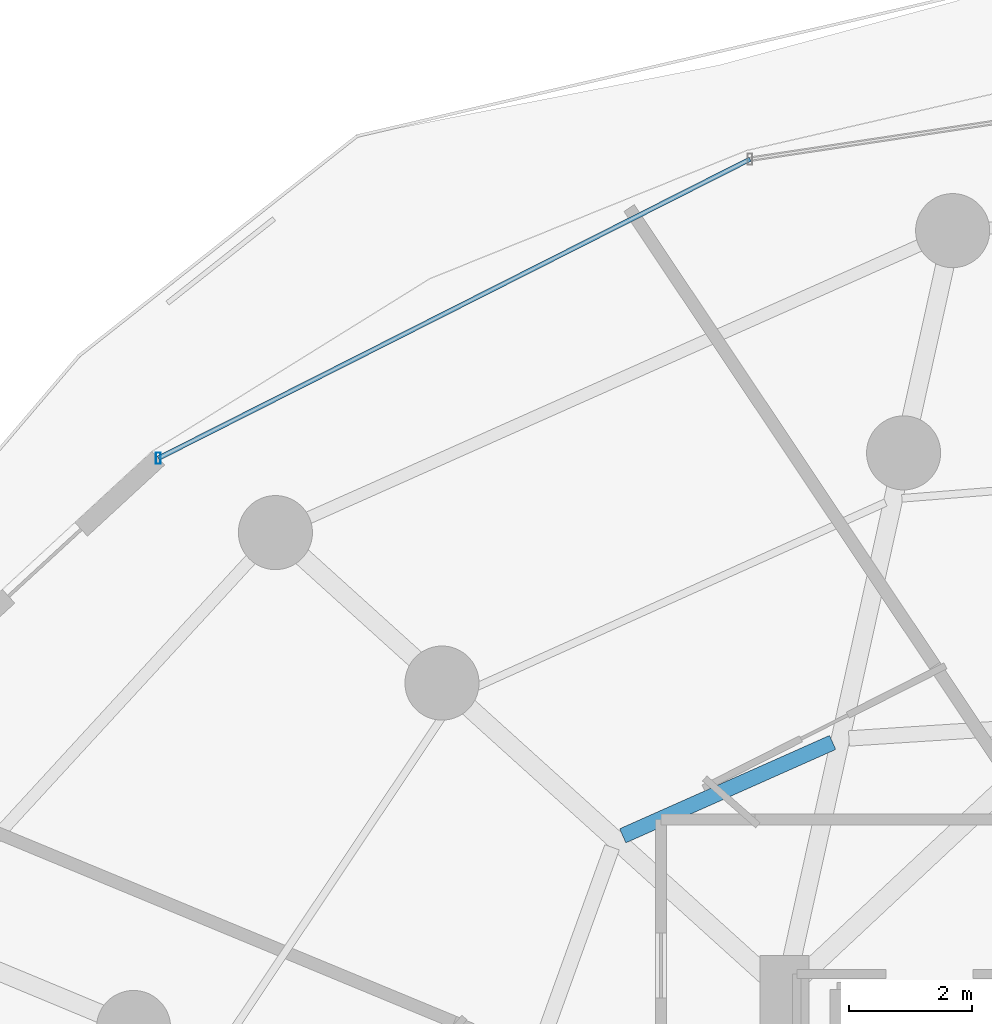
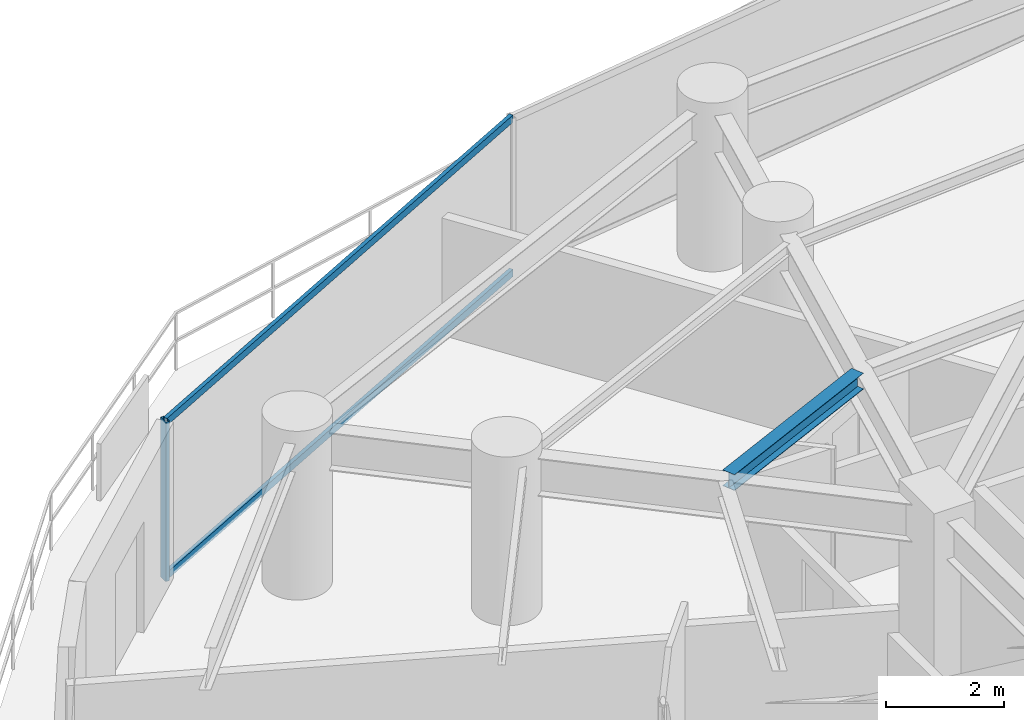
# One storey, part 20 of 35: 3 members, 1 beam, 1 element without a shape of its own.
"""IFC4 building model written with IfcOpenShell, lengths in metres."""

from ifc_helpers import new_model, si_unit, direction, frame, origin, origin_2d, place, context, subcontext, project, spatial, hollow_rectangle, i_section, extrude, material, material_profile, profile_set, type_object, element, aggregate, save


model = new_model("IFC4")

# Units and contexts
model_context = context("Model", 3, precision=1e-05, world=origin(), true_north=direction((0.0, 1.0)))
body_context = subcontext(model_context, "Body", "Model", "MODEL_VIEW")
ifc_project = project(units=[si_unit("LENGTHUNIT", "METRE"), si_unit("AREAUNIT", "SQUARE_METRE"), si_unit("VOLUMEUNIT", "CUBIC_METRE"), si_unit("PLANEANGLEUNIT", "RADIAN"), si_unit("MASSUNIT", "GRAM", prefix="KILO")], contexts=[model_context])

# Site, building, storey
site_placement = place(None, origin())
site = spatial("IfcSite", under=ifc_project, at=site_placement, CompositionType="ELEMENT")
building_placement = place(site_placement, origin())
building = spatial("IfcBuilding", under=site, at=building_placement, Name="Vorneva Point Tower", CompositionType="ELEMENT")
storey_placement = place(building_placement, frame((0.0, 0.0, 48.5)))
storey = spatial("IfcBuildingStorey", under=building, at=storey_placement, Name="L12", CompositionType="ELEMENT", Elevation=48.5)

# Beam
ifc_material_1 = material(Name="Steel S355", Category="steel")
ifc_material_profile_1 = material_profile(ifc_material_1, i_section(OverallWidth=0.2490234375, OverallDepth=0.333984375, WebThickness=0.008056640625, FlangeThickness=0.010986328125, at=origin_2d()), Name="35Sh1")
ifc_profile_set_1 = profile_set([ifc_material_profile_1], Name="Steel S355")
beam_type = type_object("IfcBeamType", Name="BM-SEC-35Sh1", PredefinedType="BEAM", material=ifc_profile_set_1)
beam_placement = place(storey_placement, frame((28.030029296875, 37.19970703125, 3.072998046875), z_axis=(-0.913706020961, -0.406375820221, 0.0), x_axis=(0.406375820221, -0.913706020961, 0.0)))
element("IfcBeam", 1, at=beam_placement, inside=storey, type_object=beam_type, Name="L12 Secondary Floor Beam 2.06", PredefinedType="BEAM", context=body_context, shape_type="SweptSolid", body=[
    extrude(i_section(OverallWidth=0.2490234375, OverallDepth=0.333984375, WebThickness=0.008056640625, FlangeThickness=0.010986328125, at=origin_2d()), origin(), (0.0, 0.0, 1.0), 3.721923828125),
])

# Curtain wall, members
ifc_material_2 = material(Name="Pale anodised aluminium", Category="aluminium")
curtain_wall_type = type_object("IfcCurtainWallType", Name="CW-HTL-SYS", PredefinedType="NOTDEFINED", material=ifc_material_2)
curtain_wall_placement = place(storey_placement, origin())
curtain_wall = element("IfcCurtainWall", 2, at=curtain_wall_placement, inside=storey, type_object=curtain_wall_type, Name="L12 Unitised Curtain Wall CW-L12-R02", PredefinedType="NOTDEFINED")
ifc_material_profile_2 = material_profile(ifc_material_2, hollow_rectangle(XDim=0.074951171875, YDim=0.179931640625, WallThickness=0.00390625, at=origin_2d()), Name="AL-MUL 180x75x4")
ifc_profile_set_2 = profile_set([ifc_material_profile_2], Name="Pale anodised aluminium")
member_type_1 = type_object("IfcMemberType", Name="CW-MUL-180", PredefinedType="MULLION", material=ifc_profile_set_2)
member_1_placement = place(storey_placement, frame((17.10498046875, 41.8037109375, -0.0400390625), z_axis=(0.0, 0.0, 1.0), x_axis=(1.0, 0.0, 0.0)))
member_1 = element("IfcMember", 3, at=member_1_placement, type_object=member_type_1, Name="CW-L12-R02 Mullion 05", PredefinedType="MULLION", context=body_context, shape_type="SweptSolid", body=[
    extrude(hollow_rectangle(XDim=0.074951171875, YDim=0.179931640625, WallThickness=0.00390625, at=origin_2d()), origin(), (0.0, 0.0, 1.0), 3.31005859375),
])
ifc_material_profile_3 = material_profile(ifc_material_2, hollow_rectangle(XDim=0.074951171875, YDim=0.14990234375, WallThickness=0.00390625, at=origin_2d()), Name="AL-TRN 150x75x4")
ifc_profile_set_3 = profile_set([ifc_material_profile_3], Name="Pale anodised aluminium")
member_type_2 = type_object("IfcMemberType", Name="CW-TRN-150", PredefinedType="USERDEFINED", material=ifc_profile_set_3)
member_2_placement = place(storey_placement, frame((26.691650390625, 46.648681640625, 0.02001953125), z_axis=(-0.892496057621, -0.451055192999, 0.0), x_axis=(0.451055192999, -0.892496057621, 0.0)))
member_2 = element("IfcMember", 4, at=member_2_placement, type_object=member_type_2, Name="CW-L12-R02 Transom 04.1", ObjectType="TRANSOM", PredefinedType="USERDEFINED", context=body_context, shape_type="SweptSolid", body=[
    extrude(hollow_rectangle(XDim=0.074951171875, YDim=0.14990234375, WallThickness=0.00390625, at=origin_2d()), origin(), (0.0, 0.0, 1.0), 10.741455078125),
])
member_3_placement = place(storey_placement, frame((26.691650390625, 46.648681640625, 3.219970703125), z_axis=(-0.892496057621, -0.451055192999, 0.0), x_axis=(0.451055192999, -0.892496057621, 0.0)))
member_3 = element("IfcMember", 5, at=member_3_placement, type_object=member_type_2, Name="CW-L12-R02 Transom 04.2", ObjectType="TRANSOM", PredefinedType="USERDEFINED", context=body_context, shape_type="SweptSolid", body=[
    extrude(hollow_rectangle(XDim=0.074951171875, YDim=0.14990234375, WallThickness=0.00390625, at=origin_2d()), origin(), (0.0, 0.0, 1.0), 10.741455078125),
])
aggregate(curtain_wall, [member_1, member_2, member_3])

save(model, "model.ifc")
